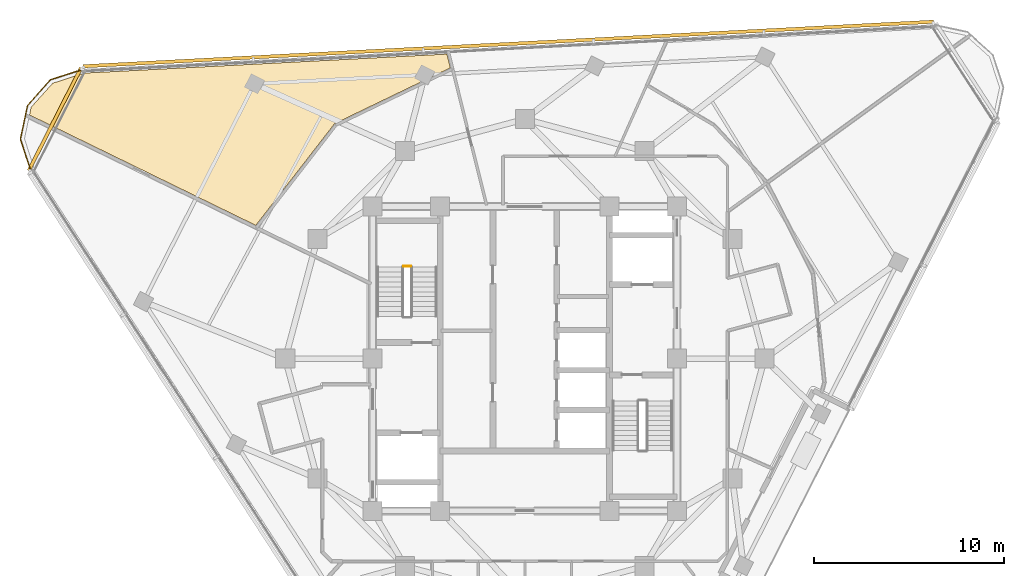
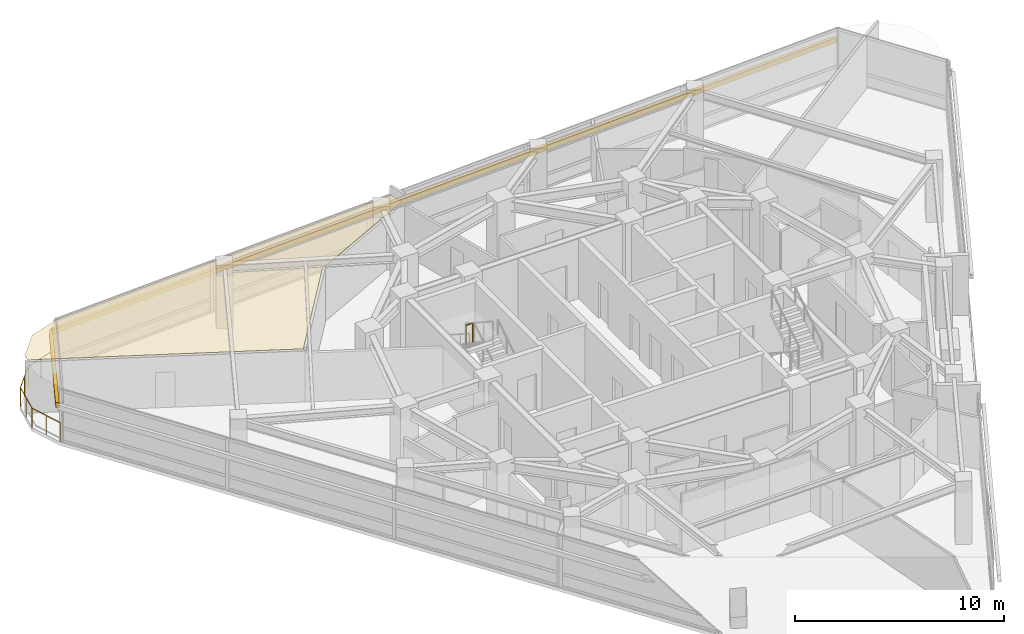
# One storey, part 14 of 15: 2 railings, 2 shading devices, 1 covering.
"""IFC4 building model written with IfcOpenShell, lengths in metres."""

from ifc_helpers import new_model, si_unit, direction, frame, origin, origin_2d, place, context, subcontext, project, spatial, polyline, rectangle, circle, outline, extrude, material, layer, layer_set, type_object, element, save


model = new_model("IFC4")

# Units and contexts
model_context = context("Model", 3, precision=1e-05, world=origin(), true_north=direction((0.0, 1.0)))
body_context = subcontext(model_context, "Body", "Model", "MODEL_VIEW")
ifc_project = project(units=[si_unit("LENGTHUNIT", "METRE"), si_unit("AREAUNIT", "SQUARE_METRE"), si_unit("VOLUMEUNIT", "CUBIC_METRE"), si_unit("PLANEANGLEUNIT", "RADIAN"), si_unit("MASSUNIT", "GRAM", prefix="KILO")], contexts=[model_context])

# Site, building, storey
site_placement = place(None, origin())
site = spatial("IfcSite", under=ifc_project, at=site_placement, CompositionType="ELEMENT")
building_placement = place(site_placement, origin())
building = spatial("IfcBuilding", under=site, at=building_placement, Name="Terralouvre Media Tower", CompositionType="ELEMENT")
storey_placement = place(building_placement, frame((0.0, 0.0, 252.199951171875)))
storey = spatial("IfcBuildingStorey", under=building, at=storey_placement, Name="L65", CompositionType="ELEMENT", Elevation=252.199951171875)

# Covering
ifc_material_1 = material(Name="Perforated aluminium acoustic ceiling baffle", Category="aluminium")
ifc_layer_1 = layer(ifc_material_1, 0.0400390625, Name="Perforated Acoustic Metal Tile Ceiling CL-AC1")
ifc_layer_set_1 = layer_set([ifc_layer_1], Name="Perforated aluminium acoustic ceiling baffle")
covering_type = type_object("IfcCoveringType", Name="Perforated Acoustic Metal Tile Ceiling CL-AC1", PredefinedType="CEILING", material=ifc_layer_set_1)
covering_placement = place(storey_placement, frame((0.0, 0.0, 2.97998046875), z_axis=(0.0, 0.0, 1.0), x_axis=(0.45399049974, 0.891006524188, 0.0)))
element("IfcCovering", 1, at=covering_placement, inside=storey, type_object=covering_type, Name="L65 Arts Guest Reception 12 Acoustic Ceiling", PredefinedType="CEILING", context=body_context, shape_type="SweptSolid", body=[
    extrude(outline(polyline([(6.4453125, 14.531982421875), (6.454345703125, 14.530029296875), (6.462890625, 14.527099609375), (6.471435546875, 14.523193359375), (6.4794921875, 14.518798828125), (6.4873046875, 14.513427734375), (11.851318359375, 10.434326171875), (12.413818359375, 10.92333984375), (2.855224609375, 27.47998046875), (1.63623046875, 28.699462890625), (-0.000244140625, 29.137451171875), (-0.40625, 29.028564453125), (-0.17578125, 15.789306640625), (6.4453125, 14.531982421875)])), origin(), (0.0, 0.0, 1.0), 0.0400390625),
])

# Railings
ifc_material_2 = material(Name="Stainless steel 316 handrail and balustrade", Category="steel")
ifc_layer_2 = layer(ifc_material_2, 0.06005859375, Name="Roof Edge Safety Guardrail GR-ROOF1")
ifc_layer_set_2 = layer_set([ifc_layer_2], Name="Stainless steel 316 handrail and balustrade")
railing_type_1 = type_object("IfcRailingType", Name="Roof Edge Safety Guardrail GR-ROOF1", PredefinedType="GUARDRAIL", material=ifc_layer_set_2)
railing_1_placement = place(storey_placement, frame((-23.216796875, 15.2294921875, 0.0)))
element("IfcRailing", 2, at=railing_1_placement, inside=storey, type_object=railing_type_1, Name="L65 Wind-Corner Perimeter Safety Guardrail C2", PredefinedType="GUARDRAIL", context=body_context, shape_type="SweptSolid", body=[
    extrude(circle(Radius=0.02099609375, at=origin_2d()), frame((0.0, 0.0, 1.12890625), z_axis=(-0.951160789169, -0.308695891043, 0.0), x_axis=(0.308695891043, -0.951160789169, 0.0)), (0.0, 0.0, 1.0), 1.81103515625),
    extrude(circle(Radius=0.02099609375, at=origin_2d()), frame((-1.72265625, -0.55908203125, 1.12890625), z_axis=(-0.66920303756, -0.743079601739, 0.0), x_axis=(0.743079601739, -0.66920303756, 0.0)), (0.0, 0.0, 1.0), 1.81103515625),
    extrude(circle(Radius=0.02099609375, at=origin_2d()), frame((-2.9345703125, -1.90478515625, 1.12890625), z_axis=(-0.207770065545, -0.978177693399, 0.0), x_axis=(0.978177693399, -0.207770065545, 0.0)), (0.0, 0.0, 1.0), 1.810791015625),
    extrude(circle(Radius=0.02099609375, at=origin_2d()), frame((-3.310791015625, -3.676025390625, 1.12890625), z_axis=(0.309223227826, -0.950989482262, 0.0), x_axis=(0.950989482262, 0.309223227826, 0.0)), (0.0, 0.0, 1.0), 1.811279296875),
    extrude(circle(Radius=0.01904296875, at=origin_2d()), origin(), (0.0, 0.0, 1.0), 1.10791015625),
    extrude(circle(Radius=0.01904296875, at=origin_2d()), frame((-0.861328125, -0.279541015625, 0.0)), (0.0, 0.0, 1.0), 1.10791015625),
    extrude(circle(Radius=0.01904296875, at=origin_2d()), frame((-1.72265625, -0.55908203125, 0.0)), (0.0, 0.0, 1.0), 1.10791015625),
    extrude(circle(Radius=0.01904296875, at=origin_2d()), frame((-2.32861328125, -1.23193359375, 0.0)), (0.0, 0.0, 1.0), 1.10791015625),
    extrude(circle(Radius=0.01904296875, at=origin_2d()), frame((-2.9345703125, -1.90478515625, 0.0)), (0.0, 0.0, 1.0), 1.10791015625),
    extrude(circle(Radius=0.01904296875, at=origin_2d()), frame((-3.12255859375, -2.79052734375, 0.0)), (0.0, 0.0, 1.0), 1.10791015625),
    extrude(circle(Radius=0.01904296875, at=origin_2d()), frame((-3.310791015625, -3.676025390625, 0.0)), (0.0, 0.0, 1.0), 1.10791015625),
    extrude(circle(Radius=0.01904296875, at=origin_2d()), frame((-3.03076171875, -4.537109375, 0.0)), (0.0, 0.0, 1.0), 1.10791015625),
    extrude(circle(Radius=0.01904296875, at=origin_2d()), frame((-2.750732421875, -5.3984375, 0.0)), (0.0, 0.0, 1.0), 1.10791015625),
])
ifc_material_3 = material(Name="Stainless steel 316 handrail and balustrade", Category="steel")
ifc_layer_3 = layer(ifc_material_3, 0.050048828125, Name="Stairwell Safety Guardrail GR-INT1")
ifc_layer_set_3 = layer_set([ifc_layer_3], Name="Stainless steel 316 handrail and balustrade")
railing_type_2 = type_object("IfcRailingType", Name="Stairwell Safety Guardrail GR-INT1", PredefinedType="GUARDRAIL", material=ifc_layer_set_3)
railing_2_placement = place(storey_placement, frame((-6.0, 4.8701171875, 1.85009765625)))
element("IfcRailing", 3, at=railing_2_placement, inside=storey, type_object=railing_type_2, Name="L65 ST-01 stair guard 2", PredefinedType="GUARDRAIL", context=body_context, shape_type="SweptSolid", body=[
    extrude(circle(Radius=0.02392578125, at=origin_2d()), frame((0.0, 0.0, 1.1259765625), z_axis=(-1.0, 0.0, 0.0), x_axis=(0.0, -1.0, 0.0)), (0.0, 0.0, 1.0), 0.3798828125),
    extrude(circle(Radius=0.02099609375, at=origin_2d()), origin(), (0.0, 0.0, 1.0), 1.101806640625),
    extrude(circle(Radius=0.02099609375, at=origin_2d()), frame((-0.3798828125, 0.0, 0.0)), (0.0, 0.0, 1.0), 1.101806640625),
])

# Shading devices
ifc_material_4 = material(Name="Extruded terracotta baguette sunshade louvres", Category="masonry")
shading_device_type = type_object("IfcShadingDeviceType", Name="Terracotta Baguette Sunshade Louvre Screen TB-LV1", PredefinedType="USERDEFINED", material=ifc_material_4)
shading_device_1_placement = place(storey_placement, frame((-0.867431640625, 16.550048828125, 2.02392578125), z_axis=(0.0, 0.0, 1.0), x_axis=(-0.998629523875, -0.052336163844, 0.0)))
element("IfcShadingDevice", 4, at=shading_device_1_placement, inside=storey, type_object=shading_device_type, Name="CW-L65-F1 Terracotta Baguette Sunshade Louvre", ObjectType="BAGUETTE", PredefinedType="USERDEFINED", context=body_context, shape_type="SweptSolid", body=[
    extrude(rectangle(XDim=44.800048828125, YDim=0.179931640625, at=origin_2d()), origin(), (0.0, 0.0, 1.0), 0.280029296875),
])
shading_device_2_placement = place(storey_placement, frame((-24.71240234375, 12.591552734375, 2.02392578125), z_axis=(0.0, 0.0, 1.0), x_axis=(-0.453990349937, -0.891006600517, 0.0)))
element("IfcShadingDevice", 5, at=shading_device_2_placement, inside=storey, type_object=shading_device_type, Name="CW-L65-C2 Terracotta Baguette Sunshade Louvre", ObjectType="BAGUETTE", PredefinedType="USERDEFINED", context=body_context, shape_type="SweptSolid", body=[
    extrude(rectangle(XDim=6.062255859375, YDim=0.179931640625, at=origin_2d()), origin(), (0.0, 0.0, 1.0), 0.280029296875),
])

save(model, "model.ifc")
